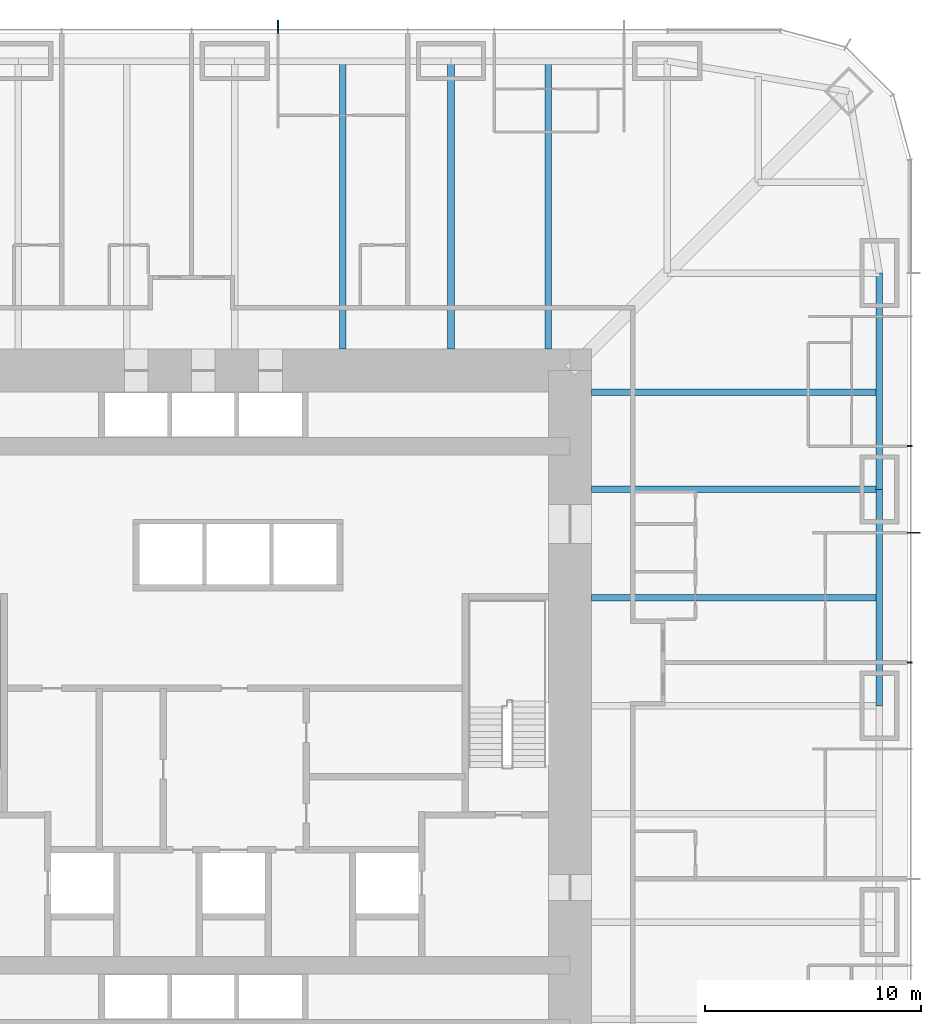
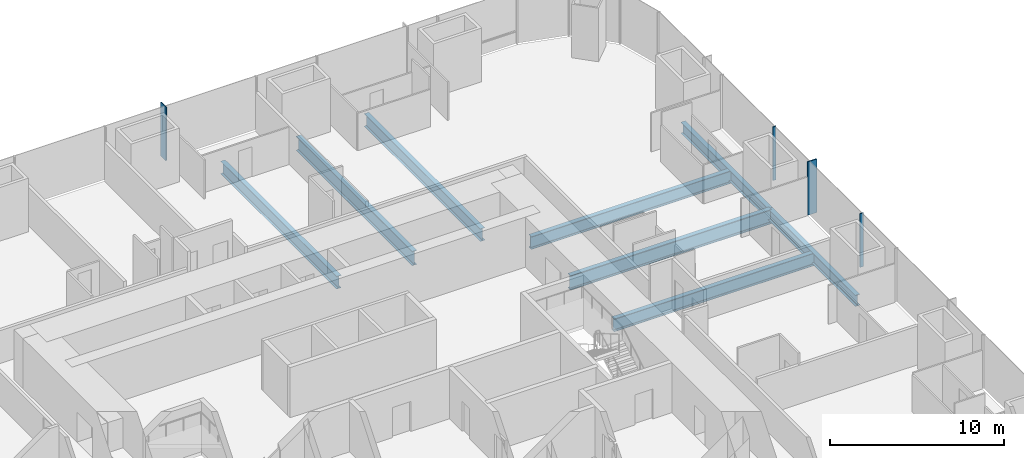
# One storey, part 8 of 16: 8 beams, 4 members, 2 elements without a shape of their own.
"""IFC4 building model written with IfcOpenShell, lengths in metres."""

from ifc_helpers import new_model, si_unit, direction, frame, origin, origin_2d, place, context, subcontext, project, spatial, rectangle, i_section, extrude, material, material_profile, profile_set, type_object, element, aggregate, save


model = new_model("IFC4")

# Units and contexts
model_context = context("Model", 3, precision=1e-05, world=origin(), true_north=direction((0.0, 1.0)))
body_context = subcontext(model_context, "Body", "Model", "MODEL_VIEW")
ifc_project = project(units=[si_unit("LENGTHUNIT", "METRE"), si_unit("AREAUNIT", "SQUARE_METRE"), si_unit("VOLUMEUNIT", "CUBIC_METRE"), si_unit("PLANEANGLEUNIT", "RADIAN"), si_unit("MASSUNIT", "GRAM", prefix="KILO")], contexts=[model_context])

# Site, building, storey
site_placement = place(None, origin())
site = spatial("IfcSite", under=ifc_project, at=site_placement, CompositionType="ELEMENT")
building_placement = place(site_placement, origin())
building = spatial("IfcBuilding", under=site, at=building_placement, Name="Khuree Lantern Residences", CompositionType="ELEMENT")
storey_placement = place(building_placement, frame((0.0, 0.0, 69.75)))
storey = spatial("IfcBuildingStorey", under=building, at=storey_placement, Name="L17", CompositionType="ELEMENT", Elevation=69.75)

# Beams
ifc_material_1 = material(Name="Steel S355", Category="steel")
ifc_material_profile_1 = material_profile(ifc_material_1, i_section(OverallWidth=0.300048828125, OverallDepth=0.889892578125, WebThickness=0.01611328125, FlangeThickness=0.030029296875, FilletRadius=0.030029296875, at=origin_2d()), Name="HE 900 A")
ifc_profile_set_1 = profile_set([ifc_material_profile_1], Name="Steel S355")
beam_type_1 = type_object("IfcBeamType", Name="B-14 SECONDARY BEAM HE 900 A", PredefinedType="BEAM", material=ifc_profile_set_1)
for number, where, z_axis, x_axis, name in (
    (1, (5.0, 29.800048828125, -0.695068359375), (0.0, -1.0, 0.0), (1.0, 0.0, 0.0), "Secondary beam N3"),
    (2, (14.5, 29.800048828125, -0.695068359375), (0.0, -1.0, 0.0), (1.0, 0.0, 0.0), "Secondary beam N4"),
    (3, (29.800048828125, 14.5, -0.695068359375), (-1.0, 0.0, 0.0), (0.0, -1.0, 0.0), "Secondary beam E2"),
    (4, (29.800048828125, 5.0, -0.695068359375), (-1.0, 0.0, 0.0), (0.0, -1.0, 0.0), "Secondary beam E3"),
):
    element("IfcBeam", number, at=place(storey_placement, frame(where, z_axis=z_axis, x_axis=x_axis)), inside=storey, type_object=beam_type_1, Name=name, PredefinedType="BEAM", context=body_context, shape_type="SweptSolid", body=[
        extrude(i_section(OverallWidth=0.300048828125, OverallDepth=0.889892578125, WebThickness=0.01611328125, FlangeThickness=0.030029296875, FilletRadius=0.030029296875, at=origin_2d()), origin(), (0.0, 0.0, 1.0), 13.300048828125),
    ])
ifc_material_profile_2 = material_profile(ifc_material_1, i_section(OverallWidth=0.300048828125, OverallDepth=0.7900390625, WebThickness=0.014892578125, FlangeThickness=0.028076171875, FilletRadius=0.030029296875, at=origin_2d()), Name="HE 800 A")
ifc_profile_set_2 = profile_set([ifc_material_profile_2], Name="Steel S355")
beam_type_2 = type_object("IfcBeamType", Name="E-14 SPANDREL BEAM HE 800 A", PredefinedType="SPANDREL", material=ifc_profile_set_2)
for number, where, z_axis, x_axis, name in (
    (5, (29.800048828125, 20.0, -0.64501953125), (0.0, -1.0, 0.0), (1.0, 0.0, 0.0), "Spandrel beam E2"),
    (6, (29.800048828125, 10.0, -0.64501953125), (0.0, -1.0, 0.0), (1.0, 0.0, 0.0), "Spandrel beam E3"),
):
    element("IfcBeam", number, at=place(storey_placement, frame(where, z_axis=z_axis, x_axis=x_axis)), inside=storey, type_object=beam_type_2, Name=name, PredefinedType="SPANDREL", context=body_context, shape_type="SweptSolid", body=[
        extrude(i_section(OverallWidth=0.300048828125, OverallDepth=0.7900390625, WebThickness=0.014892578125, FlangeThickness=0.028076171875, FilletRadius=0.030029296875, at=origin_2d()), origin(), (0.0, 0.0, 1.0), 10.0),
    ])

# Curtain wall, member
ifc_material_2 = material(Name="Bronze anodised aluminium", Category="aluminium")
curtain_wall_type = type_object("IfcCurtainWallType", Name="CW-T1 TOWER FACE CURTAIN WALL", PredefinedType="USERDEFINED", material=ifc_material_2)
curtain_wall_1_placement = place(storey_placement, origin())
curtain_wall_1 = element("IfcCurtainWall", 7, at=curtain_wall_1_placement, inside=storey, type_object=curtain_wall_type, Name="L17 EAST FACE CURTAIN WALL", ObjectType="Stick-built curtain wall", PredefinedType="USERDEFINED")
ifc_material_profile_3 = material_profile(ifc_material_2, rectangle(XDim=0.06494140625, YDim=0.60009765625, at=origin_2d()), Name="F1 65X600")
ifc_profile_set_3 = profile_set([ifc_material_profile_3], Name="Bronze anodised aluminium")
member_type_1 = type_object("IfcMemberType", Name="F1 BRONZE FIN MULLION TOWER 65X600", PredefinedType="MULLION", material=ifc_profile_set_3)
member_1_placement = place(storey_placement, frame((31.39990234375, 8.0, 0.0), z_axis=(0.0, 0.0, 1.0), x_axis=(0.0, 1.0, 0.0)))
member_1 = element("IfcMember", 8, at=member_1_placement, type_object=member_type_1, Name="L17 EAST FACE FIN MULLION 11", PredefinedType="MULLION", context=body_context, shape_type="SweptSolid", body=[
    extrude(rectangle(XDim=0.06494140625, YDim=0.60009765625, at=origin_2d()), origin(), (0.0, 0.0, 1.0), 3.75),
])

curtain_wall_2_placement = place(storey_placement, origin())
curtain_wall_2 = element("IfcCurtainWall", 9, at=curtain_wall_2_placement, inside=storey, type_object=curtain_wall_type, Name="L17 NORTH FACE CURTAIN WALL", ObjectType="Stick-built curtain wall", PredefinedType="USERDEFINED")
member_2_placement = place(storey_placement, frame((2.0, 31.39990234375, 0.0), z_axis=(0.0, 0.0, 1.0), x_axis=(-1.0, 0.0, 0.0)))
member_2 = element("IfcMember", 10, at=member_2_placement, type_object=member_type_1, Name="L17 NORTH FACE FIN MULLION 23", PredefinedType="MULLION", context=body_context, shape_type="SweptSolid", body=[
    extrude(rectangle(XDim=0.06494140625, YDim=0.60009765625, at=origin_2d()), origin(), (0.0, 0.0, 1.0), 3.75),
])
aggregate(curtain_wall_2, [member_2])

# Beams
ifc_material_profile_4 = material_profile(ifc_material_1, i_section(OverallWidth=0.302001953125, OverallDepth=1.008056640625, WebThickness=0.02099609375, FlangeThickness=0.0400390625, FilletRadius=0.030029296875, at=origin_2d()), Name="HE 1000 M")
ifc_profile_set_4 = profile_set([ifc_material_profile_4], Name="Steel S355")
beam_type_3 = type_object("IfcBeamType", Name="G-14 GIRDER HE 1000 M", PredefinedType="BEAM", material=ifc_profile_set_4)
for number, where, z_axis, x_axis, name in (
    (11, (10.0, 29.800048828125, -0.75390625), (0.0, -1.0, 0.0), (1.0, 0.0, 0.0), "Girder N4"),
    (12, (29.800048828125, 10.0, -0.75390625), (-1.0, 0.0, 0.0), (0.0, -1.0, 0.0), "Girder E2"),
):
    element("IfcBeam", number, at=place(storey_placement, frame(where, z_axis=z_axis, x_axis=x_axis)), inside=storey, type_object=beam_type_3, Name=name, PredefinedType="BEAM", context=body_context, shape_type="SweptSolid", body=[
        extrude(i_section(OverallWidth=0.302001953125, OverallDepth=1.008056640625, WebThickness=0.02099609375, FlangeThickness=0.0400390625, FilletRadius=0.030029296875, at=origin_2d()), origin(), (0.0, 0.0, 1.0), 13.300048828125),
    ])

# Member
ifc_material_profile_5 = material_profile(ifc_material_2, rectangle(XDim=0.06494140625, YDim=0.219970703125, at=origin_2d()), Name="M1 65X220")
ifc_profile_set_5 = profile_set([ifc_material_profile_5], Name="Bronze anodised aluminium")
member_type_2 = type_object("IfcMemberType", Name="M1 BRONZE MULLION TOWER 65X220", PredefinedType="MULLION", material=ifc_profile_set_5)
member_3_placement = place(storey_placement, frame((31.2099609375, 2.0, 0.0), z_axis=(0.0, 0.0, 1.0), x_axis=(0.0, 1.0, 0.0)))
member_3 = element("IfcMember", 13, at=member_3_placement, type_object=member_type_2, Name="L17 EAST FACE MULLION 10", PredefinedType="MULLION", context=body_context, shape_type="SweptSolid", body=[
    extrude(rectangle(XDim=0.06494140625, YDim=0.219970703125, at=origin_2d()), origin(), (0.0, 0.0, 1.0), 3.75),
])

member_4_placement = place(storey_placement, frame((31.2099609375, 12.0, 0.0), z_axis=(0.0, 0.0, 1.0), x_axis=(0.0, 1.0, 0.0)))
member_4 = element("IfcMember", 14, at=member_4_placement, type_object=member_type_2, Name="L17 EAST FACE MULLION 12", PredefinedType="MULLION", context=body_context, shape_type="SweptSolid", body=[
    extrude(rectangle(XDim=0.06494140625, YDim=0.219970703125, at=origin_2d()), origin(), (0.0, 0.0, 1.0), 3.75),
])

aggregate(curtain_wall_1, [member_3, member_1, member_4])

save(model, "model.ifc")
